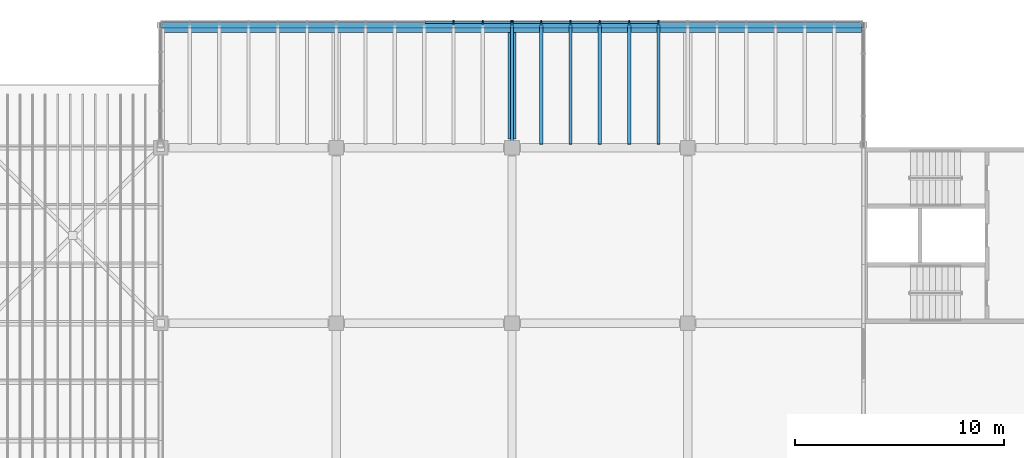
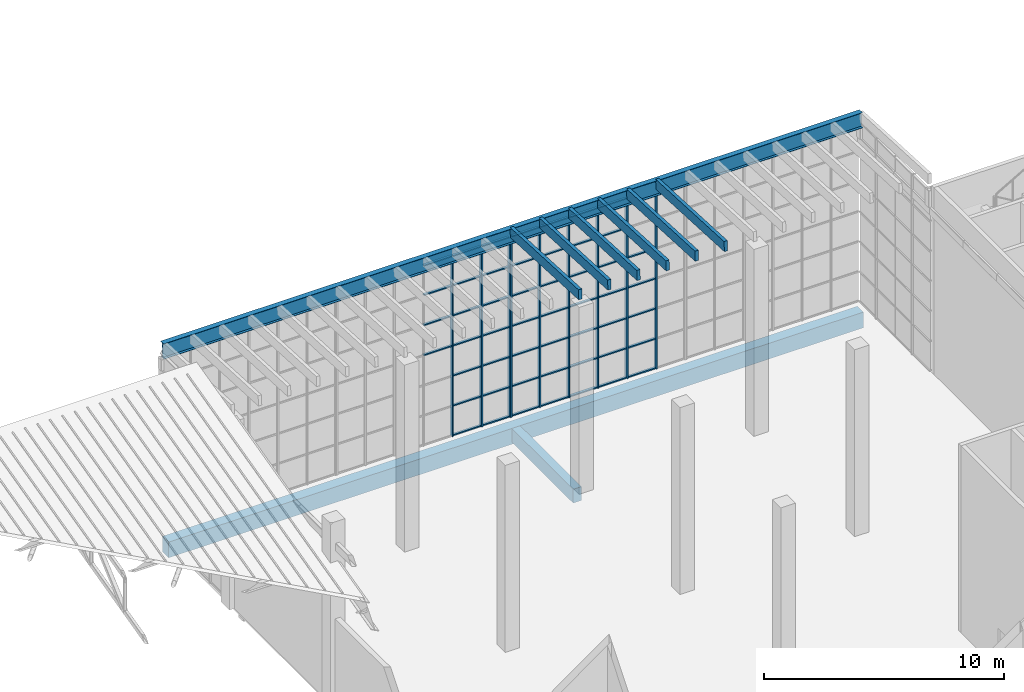
# One storey, part 17 of 114: 66 members, 3 beams, 2 elements without a shape of their own.
"""IFC4 building model written with IfcOpenShell, lengths in metres."""

from ifc_helpers import new_model, si_unit, direction, frame, origin, origin_2d, place, context, subcontext, project, spatial, rectangle, i_section, extrude, material, material_profile, profile_set, type_object, element, aggregate, save


model = new_model("IFC4")

# Units and contexts
model_context = context("Model", 3, precision=1e-05, world=origin(), true_north=direction((0.0, 1.0)))
body_context = subcontext(model_context, "Body", "Model", "MODEL_VIEW")
ifc_project = project(units=[si_unit("LENGTHUNIT", "METRE"), si_unit("AREAUNIT", "SQUARE_METRE"), si_unit("VOLUMEUNIT", "CUBIC_METRE"), si_unit("PLANEANGLEUNIT", "RADIAN"), si_unit("MASSUNIT", "GRAM", prefix="KILO")], contexts=[model_context])

# Site, building, storey
site_placement = place(None, origin())
site = spatial("IfcSite", under=ifc_project, at=site_placement, CompositionType="ELEMENT")
building_placement = place(site_placement, origin())
building = spatial("IfcBuilding", under=site, at=building_placement, Name="Almond Square Museum", CompositionType="ELEMENT")
storey_placement = place(building_placement, frame((0.0, 0.0, 10.5)))
storey = spatial("IfcBuildingStorey", under=building, at=storey_placement, Name="L02", CompositionType="ELEMENT", Elevation=10.5)

# Curtain wall, members
ifc_material_1 = material(Name="Aluminium and laminated glass", Category="aluminium")
curtain_wall_type = type_object("IfcCurtainWallType", Name="Unitised curtain wall 1500 module", PredefinedType="NOTDEFINED", material=ifc_material_1)
curtain_wall_1_placement = place(storey_placement, origin())
curtain_wall_1 = element("IfcCurtainWall", 1, at=curtain_wall_1_placement, inside=storey, type_object=curtain_wall_type, Name="Curtain wall CW-22", PredefinedType="NOTDEFINED")
ifc_material_2 = material(Name="Anodised aluminium", Category="aluminium")
ifc_material_profile_1 = material_profile(ifc_material_2, rectangle(XDim=0.199951171875, YDim=0.06005859375, at=origin_2d()))
ifc_profile_set_1 = profile_set([ifc_material_profile_1], Name="Anodised aluminium")
member_type_1 = type_object("IfcMemberType", Name="Aluminium mullion 60 x 200", PredefinedType="MULLION", material=ifc_profile_set_1)
member_1_placement = place(storey_placement, frame((56.429931640625, 115.199951171875, 0.0), z_axis=(0.0, 0.0, 1.0), x_axis=(0.0, 1.0, 0.0)))
member_1 = element("IfcMember", 2, at=member_1_placement, type_object=member_type_1, Name="CW-22 mullion 1", PredefinedType="MULLION", context=body_context, shape_type="SweptSolid", body=[
    extrude(rectangle(XDim=0.199951171875, YDim=0.06005859375, at=origin_2d()), origin(), (0.0, 0.0, 1.0), 9.166259765625),
])
member_2_placement = place(storey_placement, frame((57.800048828125, 115.199951171875, 0.0), z_axis=(0.0, 0.0, 1.0), x_axis=(0.0, 1.0, 0.0)))
member_2 = element("IfcMember", 3, at=member_2_placement, type_object=member_type_1, Name="CW-22 mullion 2", PredefinedType="MULLION", context=body_context, shape_type="SweptSolid", body=[
    extrude(rectangle(XDim=0.199951171875, YDim=0.06005859375, at=origin_2d()), origin(), (0.0, 0.0, 1.0), 9.166259765625),
])
member_3_placement = place(storey_placement, frame((59.199951171875, 115.199951171875, 0.0), z_axis=(0.0, 0.0, 1.0), x_axis=(0.0, 1.0, 0.0)))
member_3 = element("IfcMember", 4, at=member_3_placement, type_object=member_type_1, Name="CW-22 mullion 3", PredefinedType="MULLION", context=body_context, shape_type="SweptSolid", body=[
    extrude(rectangle(XDim=0.199951171875, YDim=0.06005859375, at=origin_2d()), origin(), (0.0, 0.0, 1.0), 9.166259765625),
])
member_4_placement = place(storey_placement, frame((60.60009765625, 115.199951171875, 0.0), z_axis=(0.0, 0.0, 1.0), x_axis=(0.0, 1.0, 0.0)))
member_4 = element("IfcMember", 5, at=member_4_placement, type_object=member_type_1, Name="CW-22 mullion 4", PredefinedType="MULLION", context=body_context, shape_type="SweptSolid", body=[
    extrude(rectangle(XDim=0.199951171875, YDim=0.06005859375, at=origin_2d()), origin(), (0.0, 0.0, 1.0), 9.166259765625),
])
member_5_placement = place(storey_placement, frame((62.0, 115.199951171875, 0.0), z_axis=(0.0, 0.0, 1.0), x_axis=(0.0, 1.0, 0.0)))
member_5 = element("IfcMember", 6, at=member_5_placement, type_object=member_type_1, Name="CW-22 mullion 5", PredefinedType="MULLION", context=body_context, shape_type="SweptSolid", body=[
    extrude(rectangle(XDim=0.199951171875, YDim=0.06005859375, at=origin_2d()), origin(), (0.0, 0.0, 1.0), 9.166259765625),
])
member_6_placement = place(storey_placement, frame((63.39990234375, 115.199951171875, 0.0), z_axis=(0.0, 0.0, 1.0), x_axis=(0.0, 1.0, 0.0)))
member_6 = element("IfcMember", 7, at=member_6_placement, type_object=member_type_1, Name="CW-22 mullion 6", PredefinedType="MULLION", context=body_context, shape_type="SweptSolid", body=[
    extrude(rectangle(XDim=0.199951171875, YDim=0.06005859375, at=origin_2d()), origin(), (0.0, 0.0, 1.0), 9.166259765625),
])

curtain_wall_2_placement = place(storey_placement, origin())
curtain_wall_2 = element("IfcCurtainWall", 8, at=curtain_wall_2_placement, inside=storey, type_object=curtain_wall_type, Name="Curtain wall CW-23", PredefinedType="NOTDEFINED")
member_7_placement = place(storey_placement, frame((53.60009765625, 115.199951171875, 0.0), z_axis=(0.0, 0.0, 1.0), x_axis=(0.0, 1.0, 0.0)))
member_7 = element("IfcMember", 9, at=member_7_placement, type_object=member_type_1, Name="CW-23 mullion 5", PredefinedType="MULLION", context=body_context, shape_type="SweptSolid", body=[
    extrude(rectangle(XDim=0.199951171875, YDim=0.06005859375, at=origin_2d()), origin(), (0.0, 0.0, 1.0), 9.166259765625),
])
member_8_placement = place(storey_placement, frame((55.0, 115.199951171875, 0.0), z_axis=(0.0, 0.0, 1.0), x_axis=(0.0, 1.0, 0.0)))
member_8 = element("IfcMember", 10, at=member_8_placement, type_object=member_type_1, Name="CW-23 mullion 6", PredefinedType="MULLION", context=body_context, shape_type="SweptSolid", body=[
    extrude(rectangle(XDim=0.199951171875, YDim=0.06005859375, at=origin_2d()), origin(), (0.0, 0.0, 1.0), 9.166259765625),
])
member_9_placement = place(storey_placement, frame((56.3701171875, 115.199951171875, 0.0), z_axis=(0.0, 0.0, 1.0), x_axis=(0.0, 1.0, 0.0)))
member_9 = element("IfcMember", 11, at=member_9_placement, type_object=member_type_1, Name="CW-23 mullion 7", PredefinedType="MULLION", context=body_context, shape_type="SweptSolid", body=[
    extrude(rectangle(XDim=0.199951171875, YDim=0.06005859375, at=origin_2d()), origin(), (0.0, 0.0, 1.0), 9.166259765625),
])

# Member
ifc_material_3 = material(Name="Anodised aluminium", Category="aluminium")
ifc_material_profile_2 = material_profile(ifc_material_3, rectangle(XDim=0.1201171875, YDim=0.06005859375, at=origin_2d()))
ifc_profile_set_2 = profile_set([ifc_material_profile_2], Name="Anodised aluminium")
member_type_2 = type_object("IfcMemberType", Name="Aluminium transom 60 x 120", PredefinedType="USERDEFINED", material=ifc_profile_set_2)
member_10_placement = place(storey_placement, frame((56.4599609375, 115.199951171875, 0.030029296875), z_axis=(1.0, 0.0, 0.0), x_axis=(0.0, 1.0, 0.0)))
member_10 = element("IfcMember", 12, at=member_10_placement, type_object=member_type_2, Name="CW-22 transom 1.1", ObjectType="TRANSOM", PredefinedType="USERDEFINED", context=body_context, shape_type="SweptSolid", body=[
    extrude(rectangle(XDim=0.1201171875, YDim=0.06005859375, at=origin_2d()), origin(), (0.0, 0.0, 1.0), 1.31005859375),
])

member_11_placement = place(storey_placement, frame((56.4599609375, 115.199951171875, 1.527587890625), z_axis=(1.0, 0.0, 0.0), x_axis=(0.0, 1.0, 0.0)))
member_11 = element("IfcMember", 13, at=member_11_placement, type_object=member_type_2, Name="CW-22 transom 1.2", ObjectType="TRANSOM", PredefinedType="USERDEFINED", context=body_context, shape_type="SweptSolid", body=[
    extrude(rectangle(XDim=0.1201171875, YDim=0.06005859375, at=origin_2d()), origin(), (0.0, 0.0, 1.0), 1.31005859375),
])

member_12_placement = place(storey_placement, frame((56.4599609375, 115.199951171875, 3.055419921875), z_axis=(1.0, 0.0, 0.0), x_axis=(0.0, 1.0, 0.0)))
member_12 = element("IfcMember", 14, at=member_12_placement, type_object=member_type_2, Name="CW-22 transom 1.3", ObjectType="TRANSOM", PredefinedType="USERDEFINED", context=body_context, shape_type="SweptSolid", body=[
    extrude(rectangle(XDim=0.1201171875, YDim=0.06005859375, at=origin_2d()), origin(), (0.0, 0.0, 1.0), 1.31005859375),
])

member_13_placement = place(storey_placement, frame((56.4599609375, 115.199951171875, 4.5830078125), z_axis=(1.0, 0.0, 0.0), x_axis=(0.0, 1.0, 0.0)))
member_13 = element("IfcMember", 15, at=member_13_placement, type_object=member_type_2, Name="CW-22 transom 1.4", ObjectType="TRANSOM", PredefinedType="USERDEFINED", context=body_context, shape_type="SweptSolid", body=[
    extrude(rectangle(XDim=0.1201171875, YDim=0.06005859375, at=origin_2d()), origin(), (0.0, 0.0, 1.0), 1.31005859375),
])

member_14_placement = place(storey_placement, frame((56.4599609375, 115.199951171875, 6.11083984375), z_axis=(1.0, 0.0, 0.0), x_axis=(0.0, 1.0, 0.0)))
member_14 = element("IfcMember", 16, at=member_14_placement, type_object=member_type_2, Name="CW-22 transom 1.5", ObjectType="TRANSOM", PredefinedType="USERDEFINED", context=body_context, shape_type="SweptSolid", body=[
    extrude(rectangle(XDim=0.1201171875, YDim=0.06005859375, at=origin_2d()), origin(), (0.0, 0.0, 1.0), 1.31005859375),
])

member_15_placement = place(storey_placement, frame((56.4599609375, 115.199951171875, 7.638427734375), z_axis=(1.0, 0.0, 0.0), x_axis=(0.0, 1.0, 0.0)))
member_15 = element("IfcMember", 17, at=member_15_placement, type_object=member_type_2, Name="CW-22 transom 1.6", ObjectType="TRANSOM", PredefinedType="USERDEFINED", context=body_context, shape_type="SweptSolid", body=[
    extrude(rectangle(XDim=0.1201171875, YDim=0.06005859375, at=origin_2d()), origin(), (0.0, 0.0, 1.0), 1.31005859375),
])

member_16_placement = place(storey_placement, frame((56.4599609375, 115.199951171875, 9.13623046875), z_axis=(1.0, 0.0, 0.0), x_axis=(0.0, 1.0, 0.0)))
member_16 = element("IfcMember", 18, at=member_16_placement, type_object=member_type_2, Name="CW-22 transom 1.7", ObjectType="TRANSOM", PredefinedType="USERDEFINED", context=body_context, shape_type="SweptSolid", body=[
    extrude(rectangle(XDim=0.1201171875, YDim=0.06005859375, at=origin_2d()), origin(), (0.0, 0.0, 1.0), 1.31005859375),
])

member_17_placement = place(storey_placement, frame((57.830078125, 115.199951171875, 0.030029296875), z_axis=(1.0, 0.0, 0.0), x_axis=(0.0, 1.0, 0.0)))
member_17 = element("IfcMember", 19, at=member_17_placement, type_object=member_type_2, Name="CW-22 transom 2.1", ObjectType="TRANSOM", PredefinedType="USERDEFINED", context=body_context, shape_type="SweptSolid", body=[
    extrude(rectangle(XDim=0.1201171875, YDim=0.06005859375, at=origin_2d()), origin(), (0.0, 0.0, 1.0), 1.33984375),
])

member_18_placement = place(storey_placement, frame((57.830078125, 115.199951171875, 1.527587890625), z_axis=(1.0, 0.0, 0.0), x_axis=(0.0, 1.0, 0.0)))
member_18 = element("IfcMember", 20, at=member_18_placement, type_object=member_type_2, Name="CW-22 transom 2.2", ObjectType="TRANSOM", PredefinedType="USERDEFINED", context=body_context, shape_type="SweptSolid", body=[
    extrude(rectangle(XDim=0.1201171875, YDim=0.06005859375, at=origin_2d()), origin(), (0.0, 0.0, 1.0), 1.33984375),
])

member_19_placement = place(storey_placement, frame((57.830078125, 115.199951171875, 3.055419921875), z_axis=(1.0, 0.0, 0.0), x_axis=(0.0, 1.0, 0.0)))
member_19 = element("IfcMember", 21, at=member_19_placement, type_object=member_type_2, Name="CW-22 transom 2.3", ObjectType="TRANSOM", PredefinedType="USERDEFINED", context=body_context, shape_type="SweptSolid", body=[
    extrude(rectangle(XDim=0.1201171875, YDim=0.06005859375, at=origin_2d()), origin(), (0.0, 0.0, 1.0), 1.33984375),
])

member_20_placement = place(storey_placement, frame((57.830078125, 115.199951171875, 4.5830078125), z_axis=(1.0, 0.0, 0.0), x_axis=(0.0, 1.0, 0.0)))
member_20 = element("IfcMember", 22, at=member_20_placement, type_object=member_type_2, Name="CW-22 transom 2.4", ObjectType="TRANSOM", PredefinedType="USERDEFINED", context=body_context, shape_type="SweptSolid", body=[
    extrude(rectangle(XDim=0.1201171875, YDim=0.06005859375, at=origin_2d()), origin(), (0.0, 0.0, 1.0), 1.33984375),
])

member_21_placement = place(storey_placement, frame((57.830078125, 115.199951171875, 6.11083984375), z_axis=(1.0, 0.0, 0.0), x_axis=(0.0, 1.0, 0.0)))
member_21 = element("IfcMember", 23, at=member_21_placement, type_object=member_type_2, Name="CW-22 transom 2.5", ObjectType="TRANSOM", PredefinedType="USERDEFINED", context=body_context, shape_type="SweptSolid", body=[
    extrude(rectangle(XDim=0.1201171875, YDim=0.06005859375, at=origin_2d()), origin(), (0.0, 0.0, 1.0), 1.33984375),
])

member_22_placement = place(storey_placement, frame((57.830078125, 115.199951171875, 7.638427734375), z_axis=(1.0, 0.0, 0.0), x_axis=(0.0, 1.0, 0.0)))
member_22 = element("IfcMember", 24, at=member_22_placement, type_object=member_type_2, Name="CW-22 transom 2.6", ObjectType="TRANSOM", PredefinedType="USERDEFINED", context=body_context, shape_type="SweptSolid", body=[
    extrude(rectangle(XDim=0.1201171875, YDim=0.06005859375, at=origin_2d()), origin(), (0.0, 0.0, 1.0), 1.33984375),
])

member_23_placement = place(storey_placement, frame((57.830078125, 115.199951171875, 9.13623046875), z_axis=(1.0, 0.0, 0.0), x_axis=(0.0, 1.0, 0.0)))
member_23 = element("IfcMember", 25, at=member_23_placement, type_object=member_type_2, Name="CW-22 transom 2.7", ObjectType="TRANSOM", PredefinedType="USERDEFINED", context=body_context, shape_type="SweptSolid", body=[
    extrude(rectangle(XDim=0.1201171875, YDim=0.06005859375, at=origin_2d()), origin(), (0.0, 0.0, 1.0), 1.33984375),
])

member_24_placement = place(storey_placement, frame((59.22998046875, 115.199951171875, 0.030029296875), z_axis=(1.0, 0.0, 0.0), x_axis=(0.0, 1.0, 0.0)))
member_24 = element("IfcMember", 26, at=member_24_placement, type_object=member_type_2, Name="CW-22 transom 3.1", ObjectType="TRANSOM", PredefinedType="USERDEFINED", context=body_context, shape_type="SweptSolid", body=[
    extrude(rectangle(XDim=0.1201171875, YDim=0.06005859375, at=origin_2d()), origin(), (0.0, 0.0, 1.0), 1.340087890625),
])

member_25_placement = place(storey_placement, frame((59.22998046875, 115.199951171875, 1.527587890625), z_axis=(1.0, 0.0, 0.0), x_axis=(0.0, 1.0, 0.0)))
member_25 = element("IfcMember", 27, at=member_25_placement, type_object=member_type_2, Name="CW-22 transom 3.2", ObjectType="TRANSOM", PredefinedType="USERDEFINED", context=body_context, shape_type="SweptSolid", body=[
    extrude(rectangle(XDim=0.1201171875, YDim=0.06005859375, at=origin_2d()), origin(), (0.0, 0.0, 1.0), 1.340087890625),
])

member_26_placement = place(storey_placement, frame((59.22998046875, 115.199951171875, 3.055419921875), z_axis=(1.0, 0.0, 0.0), x_axis=(0.0, 1.0, 0.0)))
member_26 = element("IfcMember", 28, at=member_26_placement, type_object=member_type_2, Name="CW-22 transom 3.3", ObjectType="TRANSOM", PredefinedType="USERDEFINED", context=body_context, shape_type="SweptSolid", body=[
    extrude(rectangle(XDim=0.1201171875, YDim=0.06005859375, at=origin_2d()), origin(), (0.0, 0.0, 1.0), 1.340087890625),
])

member_27_placement = place(storey_placement, frame((59.22998046875, 115.199951171875, 4.5830078125), z_axis=(1.0, 0.0, 0.0), x_axis=(0.0, 1.0, 0.0)))
member_27 = element("IfcMember", 29, at=member_27_placement, type_object=member_type_2, Name="CW-22 transom 3.4", ObjectType="TRANSOM", PredefinedType="USERDEFINED", context=body_context, shape_type="SweptSolid", body=[
    extrude(rectangle(XDim=0.1201171875, YDim=0.06005859375, at=origin_2d()), origin(), (0.0, 0.0, 1.0), 1.340087890625),
])

member_28_placement = place(storey_placement, frame((59.22998046875, 115.199951171875, 6.11083984375), z_axis=(1.0, 0.0, 0.0), x_axis=(0.0, 1.0, 0.0)))
member_28 = element("IfcMember", 30, at=member_28_placement, type_object=member_type_2, Name="CW-22 transom 3.5", ObjectType="TRANSOM", PredefinedType="USERDEFINED", context=body_context, shape_type="SweptSolid", body=[
    extrude(rectangle(XDim=0.1201171875, YDim=0.06005859375, at=origin_2d()), origin(), (0.0, 0.0, 1.0), 1.340087890625),
])

member_29_placement = place(storey_placement, frame((59.22998046875, 115.199951171875, 7.638427734375), z_axis=(1.0, 0.0, 0.0), x_axis=(0.0, 1.0, 0.0)))
member_29 = element("IfcMember", 31, at=member_29_placement, type_object=member_type_2, Name="CW-22 transom 3.6", ObjectType="TRANSOM", PredefinedType="USERDEFINED", context=body_context, shape_type="SweptSolid", body=[
    extrude(rectangle(XDim=0.1201171875, YDim=0.06005859375, at=origin_2d()), origin(), (0.0, 0.0, 1.0), 1.340087890625),
])

member_30_placement = place(storey_placement, frame((59.22998046875, 115.199951171875, 9.13623046875), z_axis=(1.0, 0.0, 0.0), x_axis=(0.0, 1.0, 0.0)))
member_30 = element("IfcMember", 32, at=member_30_placement, type_object=member_type_2, Name="CW-22 transom 3.7", ObjectType="TRANSOM", PredefinedType="USERDEFINED", context=body_context, shape_type="SweptSolid", body=[
    extrude(rectangle(XDim=0.1201171875, YDim=0.06005859375, at=origin_2d()), origin(), (0.0, 0.0, 1.0), 1.340087890625),
])

member_31_placement = place(storey_placement, frame((60.6298828125, 115.199951171875, 0.030029296875), z_axis=(1.0, 0.0, 0.0), x_axis=(0.0, 1.0, 0.0)))
member_31 = element("IfcMember", 33, at=member_31_placement, type_object=member_type_2, Name="CW-22 transom 4.1", ObjectType="TRANSOM", PredefinedType="USERDEFINED", context=body_context, shape_type="SweptSolid", body=[
    extrude(rectangle(XDim=0.1201171875, YDim=0.06005859375, at=origin_2d()), origin(), (0.0, 0.0, 1.0), 1.340087890625),
])

member_32_placement = place(storey_placement, frame((60.6298828125, 115.199951171875, 1.527587890625), z_axis=(1.0, 0.0, 0.0), x_axis=(0.0, 1.0, 0.0)))
member_32 = element("IfcMember", 34, at=member_32_placement, type_object=member_type_2, Name="CW-22 transom 4.2", ObjectType="TRANSOM", PredefinedType="USERDEFINED", context=body_context, shape_type="SweptSolid", body=[
    extrude(rectangle(XDim=0.1201171875, YDim=0.06005859375, at=origin_2d()), origin(), (0.0, 0.0, 1.0), 1.340087890625),
])

member_33_placement = place(storey_placement, frame((60.6298828125, 115.199951171875, 3.055419921875), z_axis=(1.0, 0.0, 0.0), x_axis=(0.0, 1.0, 0.0)))
member_33 = element("IfcMember", 35, at=member_33_placement, type_object=member_type_2, Name="CW-22 transom 4.3", ObjectType="TRANSOM", PredefinedType="USERDEFINED", context=body_context, shape_type="SweptSolid", body=[
    extrude(rectangle(XDim=0.1201171875, YDim=0.06005859375, at=origin_2d()), origin(), (0.0, 0.0, 1.0), 1.340087890625),
])

member_34_placement = place(storey_placement, frame((60.6298828125, 115.199951171875, 4.5830078125), z_axis=(1.0, 0.0, 0.0), x_axis=(0.0, 1.0, 0.0)))
member_34 = element("IfcMember", 36, at=member_34_placement, type_object=member_type_2, Name="CW-22 transom 4.4", ObjectType="TRANSOM", PredefinedType="USERDEFINED", context=body_context, shape_type="SweptSolid", body=[
    extrude(rectangle(XDim=0.1201171875, YDim=0.06005859375, at=origin_2d()), origin(), (0.0, 0.0, 1.0), 1.340087890625),
])

member_35_placement = place(storey_placement, frame((60.6298828125, 115.199951171875, 6.11083984375), z_axis=(1.0, 0.0, 0.0), x_axis=(0.0, 1.0, 0.0)))
member_35 = element("IfcMember", 37, at=member_35_placement, type_object=member_type_2, Name="CW-22 transom 4.5", ObjectType="TRANSOM", PredefinedType="USERDEFINED", context=body_context, shape_type="SweptSolid", body=[
    extrude(rectangle(XDim=0.1201171875, YDim=0.06005859375, at=origin_2d()), origin(), (0.0, 0.0, 1.0), 1.340087890625),
])

member_36_placement = place(storey_placement, frame((60.6298828125, 115.199951171875, 7.638427734375), z_axis=(1.0, 0.0, 0.0), x_axis=(0.0, 1.0, 0.0)))
member_36 = element("IfcMember", 38, at=member_36_placement, type_object=member_type_2, Name="CW-22 transom 4.6", ObjectType="TRANSOM", PredefinedType="USERDEFINED", context=body_context, shape_type="SweptSolid", body=[
    extrude(rectangle(XDim=0.1201171875, YDim=0.06005859375, at=origin_2d()), origin(), (0.0, 0.0, 1.0), 1.340087890625),
])

member_37_placement = place(storey_placement, frame((60.6298828125, 115.199951171875, 9.13623046875), z_axis=(1.0, 0.0, 0.0), x_axis=(0.0, 1.0, 0.0)))
member_37 = element("IfcMember", 39, at=member_37_placement, type_object=member_type_2, Name="CW-22 transom 4.7", ObjectType="TRANSOM", PredefinedType="USERDEFINED", context=body_context, shape_type="SweptSolid", body=[
    extrude(rectangle(XDim=0.1201171875, YDim=0.06005859375, at=origin_2d()), origin(), (0.0, 0.0, 1.0), 1.340087890625),
])

member_38_placement = place(storey_placement, frame((62.030029296875, 115.199951171875, 0.030029296875), z_axis=(1.0, 0.0, 0.0), x_axis=(0.0, 1.0, 0.0)))
member_38 = element("IfcMember", 40, at=member_38_placement, type_object=member_type_2, Name="CW-22 transom 5.1", ObjectType="TRANSOM", PredefinedType="USERDEFINED", context=body_context, shape_type="SweptSolid", body=[
    extrude(rectangle(XDim=0.1201171875, YDim=0.06005859375, at=origin_2d()), origin(), (0.0, 0.0, 1.0), 1.340087890625),
])

member_39_placement = place(storey_placement, frame((62.030029296875, 115.199951171875, 1.527587890625), z_axis=(1.0, 0.0, 0.0), x_axis=(0.0, 1.0, 0.0)))
member_39 = element("IfcMember", 41, at=member_39_placement, type_object=member_type_2, Name="CW-22 transom 5.2", ObjectType="TRANSOM", PredefinedType="USERDEFINED", context=body_context, shape_type="SweptSolid", body=[
    extrude(rectangle(XDim=0.1201171875, YDim=0.06005859375, at=origin_2d()), origin(), (0.0, 0.0, 1.0), 1.340087890625),
])

member_40_placement = place(storey_placement, frame((62.030029296875, 115.199951171875, 3.055419921875), z_axis=(1.0, 0.0, 0.0), x_axis=(0.0, 1.0, 0.0)))
member_40 = element("IfcMember", 42, at=member_40_placement, type_object=member_type_2, Name="CW-22 transom 5.3", ObjectType="TRANSOM", PredefinedType="USERDEFINED", context=body_context, shape_type="SweptSolid", body=[
    extrude(rectangle(XDim=0.1201171875, YDim=0.06005859375, at=origin_2d()), origin(), (0.0, 0.0, 1.0), 1.340087890625),
])

member_41_placement = place(storey_placement, frame((62.030029296875, 115.199951171875, 4.5830078125), z_axis=(1.0, 0.0, 0.0), x_axis=(0.0, 1.0, 0.0)))
member_41 = element("IfcMember", 43, at=member_41_placement, type_object=member_type_2, Name="CW-22 transom 5.4", ObjectType="TRANSOM", PredefinedType="USERDEFINED", context=body_context, shape_type="SweptSolid", body=[
    extrude(rectangle(XDim=0.1201171875, YDim=0.06005859375, at=origin_2d()), origin(), (0.0, 0.0, 1.0), 1.340087890625),
])

member_42_placement = place(storey_placement, frame((62.030029296875, 115.199951171875, 6.11083984375), z_axis=(1.0, 0.0, 0.0), x_axis=(0.0, 1.0, 0.0)))
member_42 = element("IfcMember", 44, at=member_42_placement, type_object=member_type_2, Name="CW-22 transom 5.5", ObjectType="TRANSOM", PredefinedType="USERDEFINED", context=body_context, shape_type="SweptSolid", body=[
    extrude(rectangle(XDim=0.1201171875, YDim=0.06005859375, at=origin_2d()), origin(), (0.0, 0.0, 1.0), 1.340087890625),
])

aggregate(curtain_wall_1, [member_1, member_2, member_3, member_4, member_5, member_6, member_10, member_11, member_12, member_13, member_14, member_15, member_16, member_17, member_18, member_19, member_20, member_21, member_22, member_23, member_24, member_25, member_26, member_27, member_28, member_29, member_30, member_31, member_32, member_33, member_34, member_35, member_36, member_37, member_38, member_39, member_40, member_41, member_42])

member_43_placement = place(storey_placement, frame((52.22998046875, 115.199951171875, 4.5830078125), z_axis=(1.0, 0.0, 0.0), x_axis=(0.0, 1.0, 0.0)))
member_43 = element("IfcMember", 45, at=member_43_placement, type_object=member_type_2, Name="CW-23 transom 4.4", ObjectType="TRANSOM", PredefinedType="USERDEFINED", context=body_context, shape_type="SweptSolid", body=[
    extrude(rectangle(XDim=0.1201171875, YDim=0.06005859375, at=origin_2d()), origin(), (0.0, 0.0, 1.0), 1.340087890625),
])

member_44_placement = place(storey_placement, frame((52.22998046875, 115.199951171875, 6.11083984375), z_axis=(1.0, 0.0, 0.0), x_axis=(0.0, 1.0, 0.0)))
member_44 = element("IfcMember", 46, at=member_44_placement, type_object=member_type_2, Name="CW-23 transom 4.5", ObjectType="TRANSOM", PredefinedType="USERDEFINED", context=body_context, shape_type="SweptSolid", body=[
    extrude(rectangle(XDim=0.1201171875, YDim=0.06005859375, at=origin_2d()), origin(), (0.0, 0.0, 1.0), 1.340087890625),
])

member_45_placement = place(storey_placement, frame((52.22998046875, 115.199951171875, 7.638427734375), z_axis=(1.0, 0.0, 0.0), x_axis=(0.0, 1.0, 0.0)))
member_45 = element("IfcMember", 47, at=member_45_placement, type_object=member_type_2, Name="CW-23 transom 4.6", ObjectType="TRANSOM", PredefinedType="USERDEFINED", context=body_context, shape_type="SweptSolid", body=[
    extrude(rectangle(XDim=0.1201171875, YDim=0.06005859375, at=origin_2d()), origin(), (0.0, 0.0, 1.0), 1.340087890625),
])

member_46_placement = place(storey_placement, frame((52.22998046875, 115.199951171875, 9.13623046875), z_axis=(1.0, 0.0, 0.0), x_axis=(0.0, 1.0, 0.0)))
member_46 = element("IfcMember", 48, at=member_46_placement, type_object=member_type_2, Name="CW-23 transom 4.7", ObjectType="TRANSOM", PredefinedType="USERDEFINED", context=body_context, shape_type="SweptSolid", body=[
    extrude(rectangle(XDim=0.1201171875, YDim=0.06005859375, at=origin_2d()), origin(), (0.0, 0.0, 1.0), 1.340087890625),
])

member_47_placement = place(storey_placement, frame((53.6298828125, 115.199951171875, 0.030029296875), z_axis=(1.0, 0.0, 0.0), x_axis=(0.0, 1.0, 0.0)))
member_47 = element("IfcMember", 49, at=member_47_placement, type_object=member_type_2, Name="CW-23 transom 5.1", ObjectType="TRANSOM", PredefinedType="USERDEFINED", context=body_context, shape_type="SweptSolid", body=[
    extrude(rectangle(XDim=0.1201171875, YDim=0.06005859375, at=origin_2d()), origin(), (0.0, 0.0, 1.0), 1.340087890625),
])

member_48_placement = place(storey_placement, frame((53.6298828125, 115.199951171875, 1.527587890625), z_axis=(1.0, 0.0, 0.0), x_axis=(0.0, 1.0, 0.0)))
member_48 = element("IfcMember", 50, at=member_48_placement, type_object=member_type_2, Name="CW-23 transom 5.2", ObjectType="TRANSOM", PredefinedType="USERDEFINED", context=body_context, shape_type="SweptSolid", body=[
    extrude(rectangle(XDim=0.1201171875, YDim=0.06005859375, at=origin_2d()), origin(), (0.0, 0.0, 1.0), 1.340087890625),
])

member_49_placement = place(storey_placement, frame((53.6298828125, 115.199951171875, 3.055419921875), z_axis=(1.0, 0.0, 0.0), x_axis=(0.0, 1.0, 0.0)))
member_49 = element("IfcMember", 51, at=member_49_placement, type_object=member_type_2, Name="CW-23 transom 5.3", ObjectType="TRANSOM", PredefinedType="USERDEFINED", context=body_context, shape_type="SweptSolid", body=[
    extrude(rectangle(XDim=0.1201171875, YDim=0.06005859375, at=origin_2d()), origin(), (0.0, 0.0, 1.0), 1.340087890625),
])

member_50_placement = place(storey_placement, frame((53.6298828125, 115.199951171875, 4.5830078125), z_axis=(1.0, 0.0, 0.0), x_axis=(0.0, 1.0, 0.0)))
member_50 = element("IfcMember", 52, at=member_50_placement, type_object=member_type_2, Name="CW-23 transom 5.4", ObjectType="TRANSOM", PredefinedType="USERDEFINED", context=body_context, shape_type="SweptSolid", body=[
    extrude(rectangle(XDim=0.1201171875, YDim=0.06005859375, at=origin_2d()), origin(), (0.0, 0.0, 1.0), 1.340087890625),
])

member_51_placement = place(storey_placement, frame((53.6298828125, 115.199951171875, 6.11083984375), z_axis=(1.0, 0.0, 0.0), x_axis=(0.0, 1.0, 0.0)))
member_51 = element("IfcMember", 53, at=member_51_placement, type_object=member_type_2, Name="CW-23 transom 5.5", ObjectType="TRANSOM", PredefinedType="USERDEFINED", context=body_context, shape_type="SweptSolid", body=[
    extrude(rectangle(XDim=0.1201171875, YDim=0.06005859375, at=origin_2d()), origin(), (0.0, 0.0, 1.0), 1.340087890625),
])

member_52_placement = place(storey_placement, frame((53.6298828125, 115.199951171875, 7.638427734375), z_axis=(1.0, 0.0, 0.0), x_axis=(0.0, 1.0, 0.0)))
member_52 = element("IfcMember", 54, at=member_52_placement, type_object=member_type_2, Name="CW-23 transom 5.6", ObjectType="TRANSOM", PredefinedType="USERDEFINED", context=body_context, shape_type="SweptSolid", body=[
    extrude(rectangle(XDim=0.1201171875, YDim=0.06005859375, at=origin_2d()), origin(), (0.0, 0.0, 1.0), 1.340087890625),
])

member_53_placement = place(storey_placement, frame((53.6298828125, 115.199951171875, 9.13623046875), z_axis=(1.0, 0.0, 0.0), x_axis=(0.0, 1.0, 0.0)))
member_53 = element("IfcMember", 55, at=member_53_placement, type_object=member_type_2, Name="CW-23 transom 5.7", ObjectType="TRANSOM", PredefinedType="USERDEFINED", context=body_context, shape_type="SweptSolid", body=[
    extrude(rectangle(XDim=0.1201171875, YDim=0.06005859375, at=origin_2d()), origin(), (0.0, 0.0, 1.0), 1.340087890625),
])

member_54_placement = place(storey_placement, frame((55.030029296875, 115.199951171875, 0.030029296875), z_axis=(1.0, 0.0, 0.0), x_axis=(0.0, 1.0, 0.0)))
member_54 = element("IfcMember", 56, at=member_54_placement, type_object=member_type_2, Name="CW-23 transom 6.1", ObjectType="TRANSOM", PredefinedType="USERDEFINED", context=body_context, shape_type="SweptSolid", body=[
    extrude(rectangle(XDim=0.1201171875, YDim=0.06005859375, at=origin_2d()), origin(), (0.0, 0.0, 1.0), 1.31005859375),
])

member_55_placement = place(storey_placement, frame((55.030029296875, 115.199951171875, 1.527587890625), z_axis=(1.0, 0.0, 0.0), x_axis=(0.0, 1.0, 0.0)))
member_55 = element("IfcMember", 57, at=member_55_placement, type_object=member_type_2, Name="CW-23 transom 6.2", ObjectType="TRANSOM", PredefinedType="USERDEFINED", context=body_context, shape_type="SweptSolid", body=[
    extrude(rectangle(XDim=0.1201171875, YDim=0.06005859375, at=origin_2d()), origin(), (0.0, 0.0, 1.0), 1.31005859375),
])

member_56_placement = place(storey_placement, frame((55.030029296875, 115.199951171875, 3.055419921875), z_axis=(1.0, 0.0, 0.0), x_axis=(0.0, 1.0, 0.0)))
member_56 = element("IfcMember", 58, at=member_56_placement, type_object=member_type_2, Name="CW-23 transom 6.3", ObjectType="TRANSOM", PredefinedType="USERDEFINED", context=body_context, shape_type="SweptSolid", body=[
    extrude(rectangle(XDim=0.1201171875, YDim=0.06005859375, at=origin_2d()), origin(), (0.0, 0.0, 1.0), 1.31005859375),
])

member_57_placement = place(storey_placement, frame((55.030029296875, 115.199951171875, 4.5830078125), z_axis=(1.0, 0.0, 0.0), x_axis=(0.0, 1.0, 0.0)))
member_57 = element("IfcMember", 59, at=member_57_placement, type_object=member_type_2, Name="CW-23 transom 6.4", ObjectType="TRANSOM", PredefinedType="USERDEFINED", context=body_context, shape_type="SweptSolid", body=[
    extrude(rectangle(XDim=0.1201171875, YDim=0.06005859375, at=origin_2d()), origin(), (0.0, 0.0, 1.0), 1.31005859375),
])

member_58_placement = place(storey_placement, frame((55.030029296875, 115.199951171875, 6.11083984375), z_axis=(1.0, 0.0, 0.0), x_axis=(0.0, 1.0, 0.0)))
member_58 = element("IfcMember", 60, at=member_58_placement, type_object=member_type_2, Name="CW-23 transom 6.5", ObjectType="TRANSOM", PredefinedType="USERDEFINED", context=body_context, shape_type="SweptSolid", body=[
    extrude(rectangle(XDim=0.1201171875, YDim=0.06005859375, at=origin_2d()), origin(), (0.0, 0.0, 1.0), 1.31005859375),
])

member_59_placement = place(storey_placement, frame((55.030029296875, 115.199951171875, 7.638427734375), z_axis=(1.0, 0.0, 0.0), x_axis=(0.0, 1.0, 0.0)))
member_59 = element("IfcMember", 61, at=member_59_placement, type_object=member_type_2, Name="CW-23 transom 6.6", ObjectType="TRANSOM", PredefinedType="USERDEFINED", context=body_context, shape_type="SweptSolid", body=[
    extrude(rectangle(XDim=0.1201171875, YDim=0.06005859375, at=origin_2d()), origin(), (0.0, 0.0, 1.0), 1.31005859375),
])

member_60_placement = place(storey_placement, frame((55.030029296875, 115.199951171875, 9.13623046875), z_axis=(1.0, 0.0, 0.0), x_axis=(0.0, 1.0, 0.0)))
member_60 = element("IfcMember", 62, at=member_60_placement, type_object=member_type_2, Name="CW-23 transom 6.7", ObjectType="TRANSOM", PredefinedType="USERDEFINED", context=body_context, shape_type="SweptSolid", body=[
    extrude(rectangle(XDim=0.1201171875, YDim=0.06005859375, at=origin_2d()), origin(), (0.0, 0.0, 1.0), 1.31005859375),
])

aggregate(curtain_wall_2, [member_7, member_8, member_9, member_43, member_44, member_45, member_46, member_47, member_48, member_49, member_50, member_51, member_52, member_53, member_54, member_55, member_56, member_57, member_58, member_59, member_60])

# Members
ifc_material_4 = material(Name="Glulam GL28h", Category="wood")
ifc_material_profile_3 = material_profile(ifc_material_4, rectangle(XDim=0.159912109375, YDim=0.5, at=origin_2d()))
ifc_profile_set_3 = profile_set([ifc_material_profile_3], Name="Glulam GL28h")
member_type_3 = type_object("IfcMemberType", Name="Glulam rafter GL28h 160x500", PredefinedType="RAFTER", material=ifc_profile_set_3)
for number, where, z_axis, x_axis, name in (
    (63, (56.39990234375, 109.35009765625, 9.7421875), (0.0, 0.998750951657, -0.049965353644), (-1.0, 0.0, 0.0), "Box roof rafter 13"),
    (64, (57.800048828125, 109.35009765625, 9.7421875), (0.0, 0.998750951657, -0.049965353644), (-1.0, 0.0, 0.0), "Box roof rafter 14"),
    (65, (59.199951171875, 109.35009765625, 9.7421875), (0.0, 0.998750951657, -0.049965353644), (-1.0, 0.0, 0.0), "Box roof rafter 15"),
    (66, (60.60009765625, 109.35009765625, 9.7421875), (0.0, 0.998750951657, -0.049965353644), (-1.0, 0.0, 0.0), "Box roof rafter 16"),
    (67, (62.0, 109.35009765625, 9.7421875), (0.0, 0.998750951657, -0.049965353644), (-1.0, 0.0, 0.0), "Box roof rafter 17"),
    (68, (63.39990234375, 109.35009765625, 9.7421875), (0.0, 0.998750951657, -0.049965353644), (-1.0, 0.0, 0.0), "Box roof rafter 18"),
):
    element("IfcMember", number, at=place(storey_placement, frame(where, z_axis=z_axis, x_axis=x_axis)), inside=storey, type_object=member_type_3, Name=name, PredefinedType="RAFTER", context=body_context, shape_type="SweptSolid", body=[
        extrude(rectangle(XDim=0.159912109375, YDim=0.5, at=origin_2d()), origin(), (0.0, 0.0, 1.0), 5.70703125),
    ])

# Beams
ifc_material_5 = material(Name="Concrete C40/50", Category="concrete")
ifc_material_profile_4 = material_profile(ifc_material_5, rectangle(XDim=0.39990234375, YDim=0.699951171875, at=origin_2d()))
ifc_profile_set_4 = profile_set([ifc_material_profile_4], Name="Concrete C40/50")
beam_type_1 = type_object("IfcBeamType", Name="RC beam 400 x 700 C40/50", PredefinedType="BEAM", material=ifc_profile_set_4)
beam_1_placement = place(storey_placement, frame((56.39990234375, 109.60009765625, -0.60009765625), z_axis=(0.0, 1.0, 0.0), x_axis=(-1.0, 0.0, 0.0)))
element("IfcBeam", 69, at=beam_1_placement, inside=storey, type_object=beam_type_1, Name="Beam 8 N-O L02", PredefinedType="BEAM", context=body_context, shape_type="SweptSolid", body=[
    extrude(rectangle(XDim=0.39990234375, YDim=0.699951171875, at=origin_2d()), origin(), (0.0, 0.0, 1.0), 5.099853515625),
])
ifc_material_6 = material(Name="Concrete C40/50", Category="concrete")
ifc_material_profile_5 = material_profile(ifc_material_6, rectangle(XDim=0.5, YDim=0.800048828125, at=origin_2d()))
ifc_profile_set_5 = profile_set([ifc_material_profile_5], Name="Concrete C40/50")
beam_type_2 = type_object("IfcBeamType", Name="RC edge beam 500 x 800 C40/50", PredefinedType="BEAM", material=ifc_profile_set_5)
beam_2_placement = place(storey_placement, frame((39.699951171875, 114.949951171875, -0.64990234375), z_axis=(1.0, 0.0, 0.0), x_axis=(0.0, 1.0, 0.0)))
element("IfcBeam", 70, at=beam_2_placement, inside=storey, type_object=beam_type_2, Name="Edge beam O 6-10 L02", PredefinedType="BEAM", context=body_context, shape_type="SweptSolid", body=[
    extrude(rectangle(XDim=0.5, YDim=0.800048828125, at=origin_2d()), origin(), (0.0, 0.0, 1.0), 33.400146484375),
])
ifc_material_7 = material(Name="Structural steel S355", Category="steel")
ifc_material_profile_6 = material_profile(ifc_material_7, i_section(OverallWidth=0.26708984375, OverallDepth=0.75390625, WebThickness=0.01318359375, FlangeThickness=0.01708984375, at=origin_2d()))
ifc_profile_set_6 = profile_set([ifc_material_profile_6], Name="Structural steel S355")
beam_type_3 = type_object("IfcBeamType", Name="Roof beam W760x147", PredefinedType="BEAM", material=ifc_profile_set_6)
beam_3_placement = place(storey_placement, frame((39.60009765625, 115.050048828125, 9.329833984375), z_axis=(1.0, 0.0, 0.0), x_axis=(0.0, 0.998752343433, -0.049937525845)))
element("IfcBeam", 71, at=beam_3_placement, inside=storey, type_object=beam_type_3, Name="Box roof beam N", PredefinedType="BEAM", context=body_context, shape_type="SweptSolid", body=[
    extrude(i_section(OverallWidth=0.26708984375, OverallDepth=0.75390625, WebThickness=0.01318359375, FlangeThickness=0.01708984375, at=origin_2d()), origin(), (0.0, 0.0, 1.0), 33.599853515625),
])

save(model, "model.ifc")
